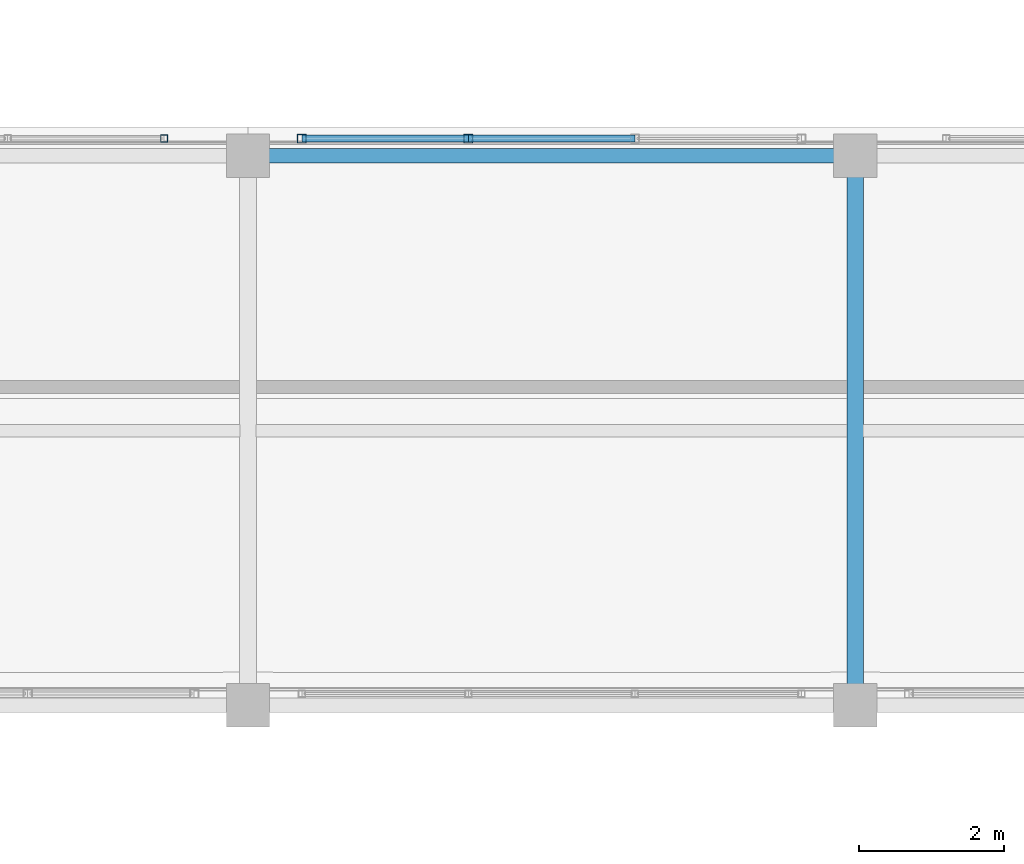
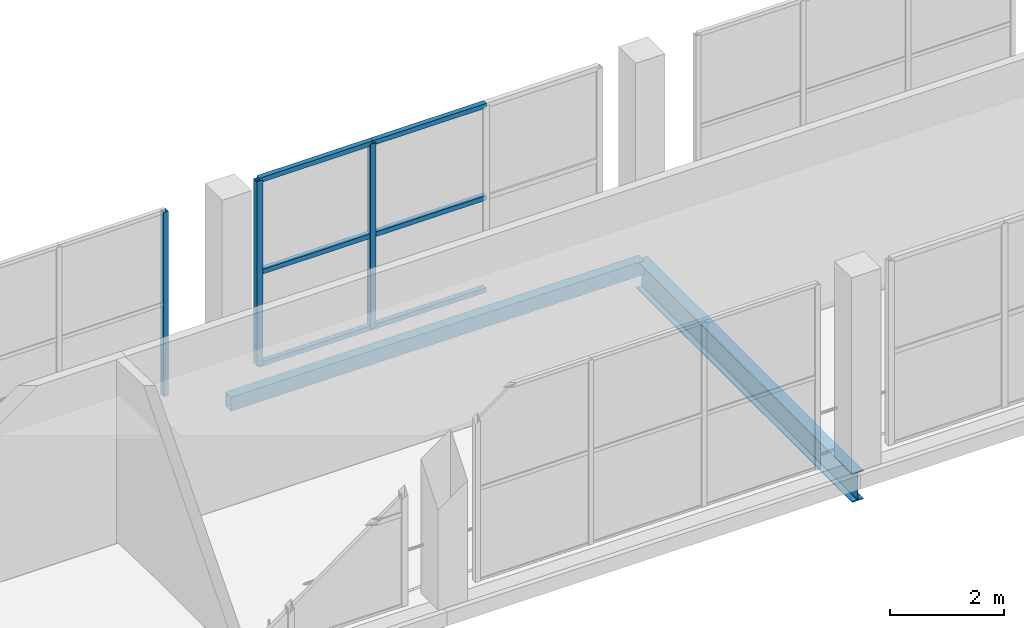
# One storey, part 42 of 151: 9 members, 2 beams, 2 elements without a shape of their own.
"""IFC4 building model written with IfcOpenShell, lengths in metres."""

from ifc_helpers import new_model, si_unit, direction, frame, origin, origin_2d, place, context, subcontext, project, spatial, hollow_rectangle, i_section, extrude, material, material_profile, profile_set, type_object, element, aggregate, save


model = new_model("IFC4")

# Units and contexts
model_context = context("Model", 3, precision=1e-05, world=origin(), true_north=direction((0.0, 1.0)))
body_context = subcontext(model_context, "Body", "Model", "MODEL_VIEW")
ifc_project = project(units=[si_unit("LENGTHUNIT", "METRE"), si_unit("AREAUNIT", "SQUARE_METRE"), si_unit("VOLUMEUNIT", "CUBIC_METRE"), si_unit("PLANEANGLEUNIT", "RADIAN"), si_unit("MASSUNIT", "GRAM", prefix="KILO")], contexts=[model_context])

# Site, building, storey
site_placement = place(None, origin())
site = spatial("IfcSite", under=ifc_project, at=site_placement, CompositionType="ELEMENT")
building_placement = place(site_placement, origin())
building = spatial("IfcBuilding", under=site, at=building_placement, Name="Zuvorla Pavilion Media Centre", CompositionType="ELEMENT")
storey_placement = place(building_placement, frame((0.0, 0.0, 13.800048828125)))
storey = spatial("IfcBuildingStorey", under=building, at=storey_placement, Name="L03", CompositionType="ELEMENT", Elevation=13.800048828125)

# Beams
ifc_material_1 = material(Name="Steel S355", Category="steel")
ifc_material_profile_1 = material_profile(ifc_material_1, hollow_rectangle(XDim=0.199951171875, YDim=0.300048828125, WallThickness=0.012451171875, at=origin_2d()), Name="RHS 300x200x12.5")
ifc_profile_set_1 = profile_set([ifc_material_profile_1], Name="Steel S355")
beam_type_1 = type_object("IfcBeamType", Name="BM-SP-RHS300", PredefinedType="SPANDREL", material=ifc_profile_set_1)
beam_1_placement = place(storey_placement, frame((92.0, 51.60009765625, -0.407958984375), z_axis=(1.0, 0.0, 0.0), x_axis=(0.0, 1.0, 0.0)))
element("IfcBeam", 1, at=beam_1_placement, inside=storey, type_object=beam_type_1, Name="L03 spandrel SP01 1100", PredefinedType="SPANDREL", context=body_context, shape_type="SweptSolid", body=[
    extrude(hollow_rectangle(XDim=0.199951171875, YDim=0.300048828125, WallThickness=0.012451171875, at=origin_2d()), origin(), (0.0, 0.0, 1.0), 8.39990234375),
])
ifc_material_profile_2 = material_profile(ifc_material_1, i_section(OverallWidth=0.22900390625, OverallDepth=0.6123046875, WebThickness=0.011962890625, FlangeThickness=0.01953125, FilletRadius=0.0126953125, at=origin_2d()), Name="UB 610x229x125")
ifc_profile_set_2 = profile_set([ifc_material_profile_2], Name="Steel S355")
beam_type_2 = type_object("IfcBeamType", Name="BM-UB610", PredefinedType="BEAM", material=ifc_profile_set_2)
beam_2_placement = place(storey_placement, frame((100.39990234375, 44.0, -0.564208984375), z_axis=(0.0, 1.0, 0.0), x_axis=(-1.0, 0.0, 0.0)))
element("IfcBeam", 2, at=beam_2_placement, inside=storey, type_object=beam_type_2, Name="L03 beam B07 1204", PredefinedType="BEAM", context=body_context, shape_type="SweptSolid", body=[
    extrude(i_section(OverallWidth=0.22900390625, OverallDepth=0.6123046875, WebThickness=0.011962890625, FlangeThickness=0.01953125, FilletRadius=0.0126953125, at=origin_2d()), origin(), (0.0, 0.0, 1.0), 7.60009765625),
])

# Curtain wall, member
ifc_material_2 = material(Name="Unitised anodised aluminium and solar glass curtain wall", Category="aluminium")
curtain_wall_type_1 = type_object("IfcCurtainWallType", Name="CW-SYS-80", PredefinedType="USERDEFINED", material=ifc_material_2)
curtain_wall_1_placement = place(storey_placement, origin())
curtain_wall_1 = element("IfcCurtainWall", 3, at=curtain_wall_1_placement, inside=storey, type_object=curtain_wall_type_1, Name="L03 curtain wall CW80 165", ObjectType="CURTAIN WALL", PredefinedType="USERDEFINED")
ifc_material_3 = material(Name="Anodised aluminium 6063-T6", Category="aluminium")
ifc_material_profile_3 = material_profile(ifc_material_3, hollow_rectangle(XDim=0.10009765625, YDim=0.10009765625, WallThickness=0.00439453125, at=origin_2d()), Name="ALU MULL 100x100")
ifc_profile_set_3 = profile_set([ifc_material_profile_3], Name="Anodised aluminium 6063-T6")
member_type_1 = type_object("IfcMemberType", Name="CW-MULL-100", PredefinedType="MULLION", material=ifc_profile_set_3)
member_1_placement = place(storey_placement, frame((90.840087890625, 51.840087890625, 0.0), z_axis=(0.0, 0.0, 1.0), x_axis=(1.0, 0.0, 0.0)))
member_1 = element("IfcMember", 4, at=member_1_placement, type_object=member_type_1, Name="CW80 mullion 4", PredefinedType="MULLION", context=body_context, shape_type="SweptSolid", body=[
    extrude(hollow_rectangle(XDim=0.10009765625, YDim=0.10009765625, WallThickness=0.00439453125, at=origin_2d()), origin(), (0.0, 0.0, 1.0), 3.9599609375),
])
aggregate(curtain_wall_1, [member_1])

# Curtain wall, members
curtain_wall_type_2 = type_object("IfcCurtainWallType", Name="CW-SYS-22", PredefinedType="USERDEFINED", material=ifc_material_2)
curtain_wall_2_placement = place(storey_placement, origin())
curtain_wall_2 = element("IfcCurtainWall", 5, at=curtain_wall_2_placement, inside=storey, type_object=curtain_wall_type_2, Name="L03 curtain wall CW22 168", ObjectType="CURTAIN WALL", PredefinedType="USERDEFINED")
ifc_material_profile_4 = material_profile(ifc_material_3, hollow_rectangle(XDim=0.1201171875, YDim=0.1201171875, WallThickness=0.0048828125, at=origin_2d()), Name="ALU MULL 120x120")
ifc_profile_set_4 = profile_set([ifc_material_profile_4], Name="Anodised aluminium 6063-T6")
member_type_2 = type_object("IfcMemberType", Name="CW-MULL-120", PredefinedType="MULLION", material=ifc_profile_set_4)
member_2_placement = place(storey_placement, frame((92.744384765625, 51.840087890625, 0.0), z_axis=(0.0, 0.0, 1.0), x_axis=(1.0, 0.0, 0.0)))
member_2 = element("IfcMember", 6, at=member_2_placement, type_object=member_type_2, Name="CW22 mullion 1", PredefinedType="MULLION", context=body_context, shape_type="SweptSolid", body=[
    extrude(hollow_rectangle(XDim=0.1201171875, YDim=0.1201171875, WallThickness=0.0048828125, at=origin_2d()), origin(), (0.0, 0.0, 1.0), 3.9599609375),
])
member_3_placement = place(storey_placement, frame((95.048095703125, 51.840087890625, 0.0), z_axis=(0.0, 0.0, 1.0), x_axis=(1.0, 0.0, 0.0)))
member_3 = element("IfcMember", 7, at=member_3_placement, type_object=member_type_2, Name="CW22 mullion 2", PredefinedType="MULLION", context=body_context, shape_type="SweptSolid", body=[
    extrude(hollow_rectangle(XDim=0.1201171875, YDim=0.1201171875, WallThickness=0.0048828125, at=origin_2d()), origin(), (0.0, 0.0, 1.0), 3.9599609375),
])
ifc_material_profile_5 = material_profile(ifc_material_3, hollow_rectangle(XDim=0.10009765625, YDim=0.10009765625, WallThickness=0.00439453125, at=origin_2d()), Name="ALU TRAN 100x100")
ifc_profile_set_5 = profile_set([ifc_material_profile_5], Name="Anodised aluminium 6063-T6")
member_type_3 = type_object("IfcMemberType", Name="CW-TRAN-100", PredefinedType="USERDEFINED", material=ifc_profile_set_5)
member_4_placement = place(storey_placement, frame((92.744384765625, 51.840087890625, 0.0), z_axis=(1.0, 0.0, 0.0), x_axis=(0.0, 1.0, 0.0)))
member_4 = element("IfcMember", 8, at=member_4_placement, type_object=member_type_3, Name="CW22 transom 1.1", ObjectType="TRANSOM", PredefinedType="USERDEFINED", context=body_context, shape_type="SweptSolid", body=[
    extrude(hollow_rectangle(XDim=0.10009765625, YDim=0.10009765625, WallThickness=0.00439453125, at=origin_2d()), origin(), (0.0, 0.0, 1.0), 2.3037109375),
])
member_5_placement = place(storey_placement, frame((92.744384765625, 51.840087890625, 1.97998046875), z_axis=(1.0, 0.0, 0.0), x_axis=(0.0, 1.0, 0.0)))
member_5 = element("IfcMember", 9, at=member_5_placement, type_object=member_type_3, Name="CW22 transom 1.2", ObjectType="TRANSOM", PredefinedType="USERDEFINED", context=body_context, shape_type="SweptSolid", body=[
    extrude(hollow_rectangle(XDim=0.10009765625, YDim=0.10009765625, WallThickness=0.00439453125, at=origin_2d()), origin(), (0.0, 0.0, 1.0), 2.3037109375),
])
member_6_placement = place(storey_placement, frame((92.744384765625, 51.840087890625, 3.9599609375), z_axis=(1.0, 0.0, 0.0), x_axis=(0.0, 1.0, 0.0)))
member_6 = element("IfcMember", 10, at=member_6_placement, type_object=member_type_3, Name="CW22 transom 1.3", ObjectType="TRANSOM", PredefinedType="USERDEFINED", context=body_context, shape_type="SweptSolid", body=[
    extrude(hollow_rectangle(XDim=0.10009765625, YDim=0.10009765625, WallThickness=0.00439453125, at=origin_2d()), origin(), (0.0, 0.0, 1.0), 2.3037109375),
])
member_7_placement = place(storey_placement, frame((95.048095703125, 51.840087890625, 0.0), z_axis=(1.0, 0.0, 0.0), x_axis=(0.0, 1.0, 0.0)))
member_7 = element("IfcMember", 11, at=member_7_placement, type_object=member_type_3, Name="CW22 transom 2.1", ObjectType="TRANSOM", PredefinedType="USERDEFINED", context=body_context, shape_type="SweptSolid", body=[
    extrude(hollow_rectangle(XDim=0.10009765625, YDim=0.10009765625, WallThickness=0.00439453125, at=origin_2d()), origin(), (0.0, 0.0, 1.0), 2.3037109375),
])
member_8_placement = place(storey_placement, frame((95.048095703125, 51.840087890625, 1.97998046875), z_axis=(1.0, 0.0, 0.0), x_axis=(0.0, 1.0, 0.0)))
member_8 = element("IfcMember", 12, at=member_8_placement, type_object=member_type_3, Name="CW22 transom 2.2", ObjectType="TRANSOM", PredefinedType="USERDEFINED", context=body_context, shape_type="SweptSolid", body=[
    extrude(hollow_rectangle(XDim=0.10009765625, YDim=0.10009765625, WallThickness=0.00439453125, at=origin_2d()), origin(), (0.0, 0.0, 1.0), 2.3037109375),
])
member_9_placement = place(storey_placement, frame((95.048095703125, 51.840087890625, 3.9599609375), z_axis=(1.0, 0.0, 0.0), x_axis=(0.0, 1.0, 0.0)))
member_9 = element("IfcMember", 13, at=member_9_placement, type_object=member_type_3, Name="CW22 transom 2.3", ObjectType="TRANSOM", PredefinedType="USERDEFINED", context=body_context, shape_type="SweptSolid", body=[
    extrude(hollow_rectangle(XDim=0.10009765625, YDim=0.10009765625, WallThickness=0.00439453125, at=origin_2d()), origin(), (0.0, 0.0, 1.0), 2.3037109375),
])
aggregate(curtain_wall_2, [member_2, member_3, member_4, member_5, member_6, member_7, member_8, member_9])

save(model, "model.ifc")
